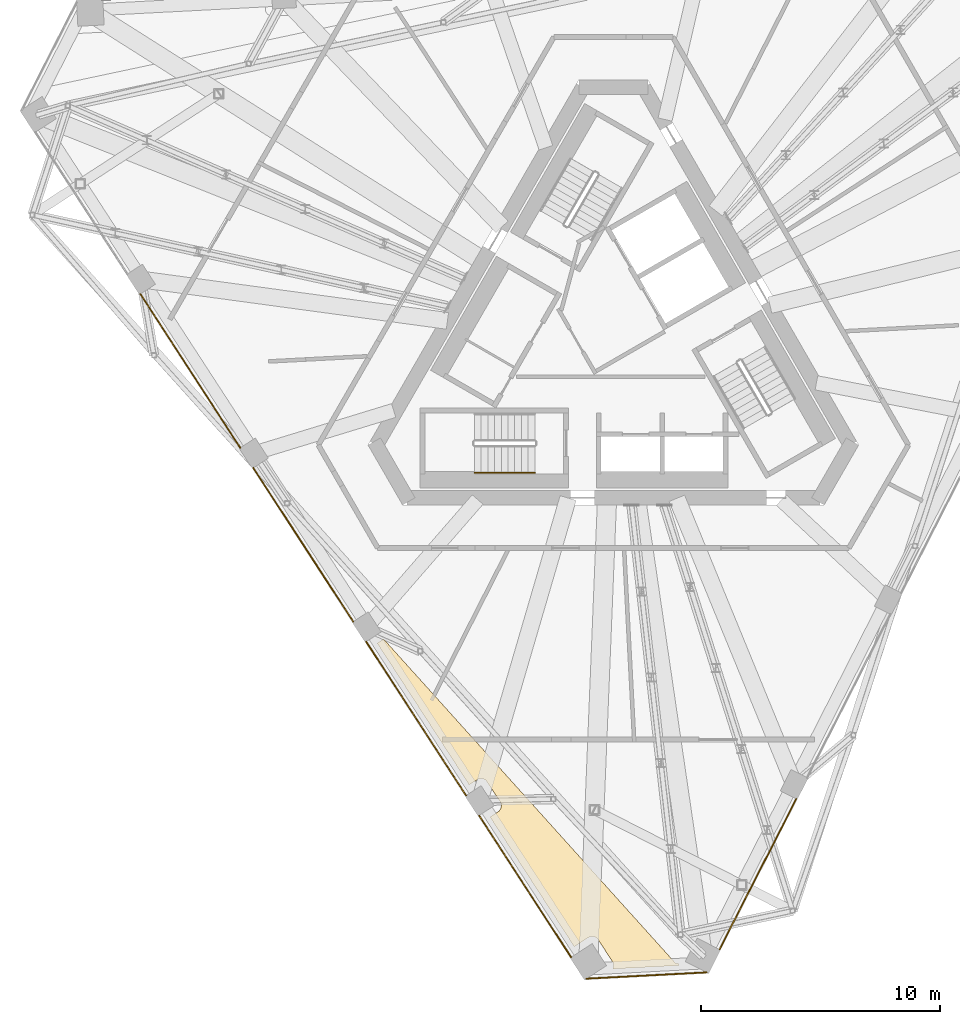
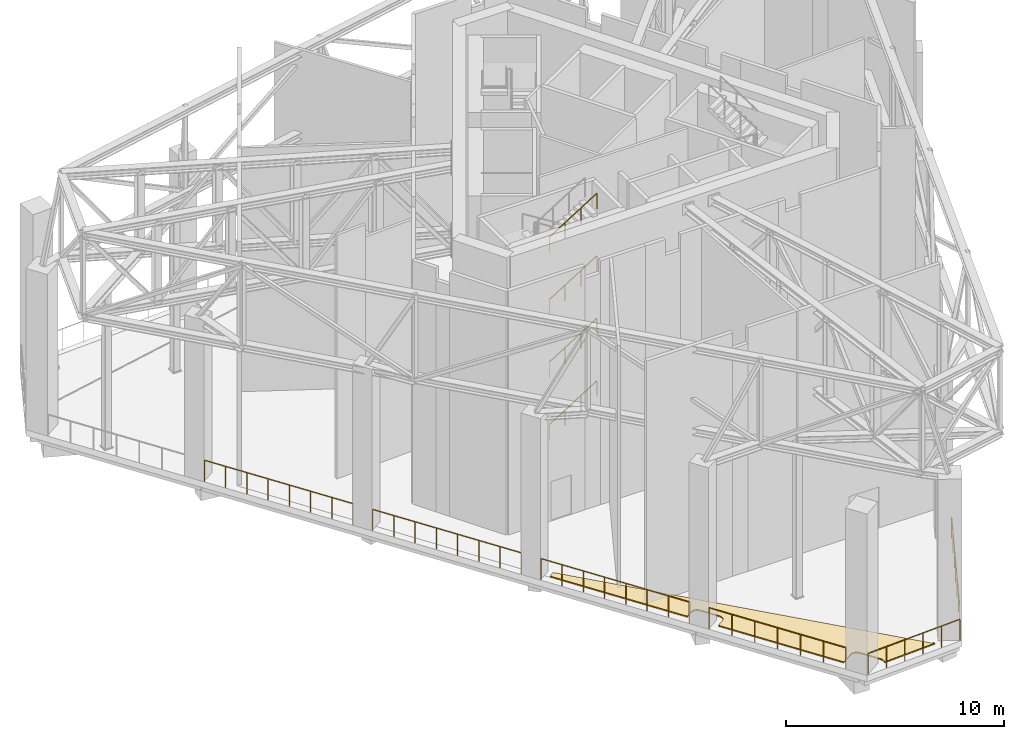
# One storey, part 20 of 23: 10 railings, 2 coverings.
"""IFC4 building model written with IfcOpenShell, lengths in metres."""

from ifc_helpers import new_model, si_unit, direction, frame, origin, origin_2d, place, context, subcontext, project, spatial, polyline, circle, outline, extrude, material, layer, layer_set, type_object, element, save


model = new_model("IFC4")

# Units and contexts
model_context = context("Model", 3, precision=1e-05, world=origin(), true_north=direction((0.0, 1.0)))
body_context = subcontext(model_context, "Body", "Model", "MODEL_VIEW")
ifc_project = project(units=[si_unit("LENGTHUNIT", "METRE"), si_unit("AREAUNIT", "SQUARE_METRE"), si_unit("VOLUMEUNIT", "CUBIC_METRE"), si_unit("PLANEANGLEUNIT", "RADIAN"), si_unit("MASSUNIT", "GRAM", prefix="KILO")], contexts=[model_context])

# Site, building, storey
site_placement = place(None, origin())
site = spatial("IfcSite", under=ifc_project, at=site_placement, CompositionType="ELEMENT")
building_placement = place(site_placement, origin())
building = spatial("IfcBuilding", under=site, at=building_placement, Name="Tramontana Tower", CompositionType="ELEMENT")
storey_placement = place(building_placement, frame((0.0, 0.0, 306.39990234375)))
storey = spatial("IfcBuildingStorey", under=building, at=storey_placement, Name="L72", CompositionType="ELEMENT", Elevation=306.39990234375)

# Railings
ifc_material_1 = material(Name="Stainless steel rail and posts", Category="steel")
railing_type_1 = type_object("IfcRailingType", Name="GD4 Portal band guard 1200", PredefinedType="GUARDRAIL", material=ifc_material_1)
railing_1_placement = place(storey_placement, frame((-19.76025390625, 2.060546875, 0.0)))
element("IfcRailing", 1, at=railing_1_placement, inside=storey, type_object=railing_type_1, Name="Edge guard L72 4", PredefinedType="GUARDRAIL", context=body_context, shape_type="SweptSolid", body=[
    extrude(circle(Radius=0.02392578125, at=origin_2d()), frame((0.0, 0.0, 1.17578125), z_axis=(0.544649987904, -0.838663454954, 0.0), x_axis=(0.838663454954, 0.544649987904, 0.0)), (0.0, 0.0, 1.0), 7.66015625),
    extrude(circle(Radius=0.02099609375, at=origin_2d()), origin(), (0.0, 0.0, 1.0), 1.15185546875),
    extrude(circle(Radius=0.02099609375, at=origin_2d()), frame((0.595947265625, -0.917724609375, 0.0)), (0.0, 0.0, 1.0), 1.15185546875),
    extrude(circle(Radius=0.02099609375, at=origin_2d()), frame((1.192138671875, -1.83544921875, 0.0)), (0.0, 0.0, 1.0), 1.15185546875),
    extrude(circle(Radius=0.02099609375, at=origin_2d()), frame((1.7880859375, -2.753173828125, 0.0)), (0.0, 0.0, 1.0), 1.15185546875),
    extrude(circle(Radius=0.02099609375, at=origin_2d()), frame((2.384033203125, -3.671142578125, 0.0)), (0.0, 0.0, 1.0), 1.15185546875),
    extrude(circle(Radius=0.02099609375, at=origin_2d()), frame((2.97998046875, -4.5888671875, 0.0)), (0.0, 0.0, 1.0), 1.15185546875),
    extrude(circle(Radius=0.02099609375, at=origin_2d()), frame((3.576171875, -5.506591796875, 0.0)), (0.0, 0.0, 1.0), 1.15185546875),
    extrude(circle(Radius=0.02099609375, at=origin_2d()), frame((4.172119140625, -6.42431640625, 0.0)), (0.0, 0.0, 1.0), 1.15185546875),
])
railing_2_placement = place(storey_placement, frame((-15.04345703125, -5.202392578125, 0.0)))
element("IfcRailing", 2, at=railing_2_placement, inside=storey, type_object=railing_type_1, Name="Edge guard L72 5", PredefinedType="GUARDRAIL", context=body_context, shape_type="SweptSolid", body=[
    extrude(circle(Radius=0.02392578125, at=origin_2d()), frame((0.0, 0.0, 1.17578125), z_axis=(0.544635430066, -0.838672909016, 0.0), x_axis=(0.838672909016, 0.544635430066, 0.0)), (0.0, 0.0, 1.0), 7.660400390625),
    extrude(circle(Radius=0.02099609375, at=origin_2d()), origin(), (0.0, 0.0, 1.0), 1.15185546875),
    extrude(circle(Radius=0.02099609375, at=origin_2d()), frame((0.595947265625, -0.917724609375, 0.0)), (0.0, 0.0, 1.0), 1.15185546875),
    extrude(circle(Radius=0.02099609375, at=origin_2d()), frame((1.192138671875, -1.835693359375, 0.0)), (0.0, 0.0, 1.0), 1.15185546875),
    extrude(circle(Radius=0.02099609375, at=origin_2d()), frame((1.7880859375, -2.75341796875, 0.0)), (0.0, 0.0, 1.0), 1.15185546875),
    extrude(circle(Radius=0.02099609375, at=origin_2d()), frame((2.384033203125, -3.671142578125, 0.0)), (0.0, 0.0, 1.0), 1.15185546875),
    extrude(circle(Radius=0.02099609375, at=origin_2d()), frame((2.97998046875, -4.5888671875, 0.0)), (0.0, 0.0, 1.0), 1.15185546875),
    extrude(circle(Radius=0.02099609375, at=origin_2d()), frame((3.576171875, -5.5068359375, 0.0)), (0.0, 0.0, 1.0), 1.15185546875),
    extrude(circle(Radius=0.02099609375, at=origin_2d()), frame((4.172119140625, -6.424560546875, 0.0)), (0.0, 0.0, 1.0), 1.15185546875),
])
railing_3_placement = place(storey_placement, frame((-10.326904296875, -12.465576171875, 0.0)))
element("IfcRailing", 3, at=railing_3_placement, inside=storey, type_object=railing_type_1, Name="Edge guard L72 7", PredefinedType="GUARDRAIL", context=body_context, shape_type="SweptSolid", body=[
    extrude(circle(Radius=0.02392578125, at=origin_2d()), frame((0.0, 0.0, 1.17578125), z_axis=(0.544649987904, -0.838663454954, 0.0), x_axis=(0.838663454954, 0.544649987904, 0.0)), (0.0, 0.0, 1.0), 7.66015625),
    extrude(circle(Radius=0.02099609375, at=origin_2d()), origin(), (0.0, 0.0, 1.0), 1.15185546875),
    extrude(circle(Radius=0.02099609375, at=origin_2d()), frame((0.595947265625, -0.917724609375, 0.0)), (0.0, 0.0, 1.0), 1.15185546875),
    extrude(circle(Radius=0.02099609375, at=origin_2d()), frame((1.192138671875, -1.83544921875, 0.0)), (0.0, 0.0, 1.0), 1.15185546875),
    extrude(circle(Radius=0.02099609375, at=origin_2d()), frame((1.7880859375, -2.753173828125, 0.0)), (0.0, 0.0, 1.0), 1.15185546875),
    extrude(circle(Radius=0.02099609375, at=origin_2d()), frame((2.384033203125, -3.671142578125, 0.0)), (0.0, 0.0, 1.0), 1.15185546875),
    extrude(circle(Radius=0.02099609375, at=origin_2d()), frame((2.97998046875, -4.5888671875, 0.0)), (0.0, 0.0, 1.0), 1.15185546875),
    extrude(circle(Radius=0.02099609375, at=origin_2d()), frame((3.576171875, -5.506591796875, 0.0)), (0.0, 0.0, 1.0), 1.15185546875),
    extrude(circle(Radius=0.02099609375, at=origin_2d()), frame((4.172119140625, -6.42431640625, 0.0)), (0.0, 0.0, 1.0), 1.15185546875),
])
railing_4_placement = place(storey_placement, frame((-5.610107421875, -19.728759765625, 0.0)))
element("IfcRailing", 4, at=railing_4_placement, inside=storey, type_object=railing_type_1, Name="Edge guard L72 8", PredefinedType="GUARDRAIL", context=body_context, shape_type="SweptSolid", body=[
    extrude(circle(Radius=0.02392578125, at=origin_2d()), frame((0.0, 0.0, 1.17578125), z_axis=(0.54463703186, -0.838671868806, 0.0), x_axis=(0.838671868806, 0.54463703186, 0.0)), (0.0, 0.0, 1.0), 7.06005859375),
    extrude(circle(Radius=0.02099609375, at=origin_2d()), origin(), (0.0, 0.0, 1.0), 1.15185546875),
    extrude(circle(Radius=0.02099609375, at=origin_2d()), frame((0.640869140625, -0.98681640625, 0.0)), (0.0, 0.0, 1.0), 1.15185546875),
    extrude(circle(Radius=0.02099609375, at=origin_2d()), frame((1.28173828125, -1.9736328125, 0.0)), (0.0, 0.0, 1.0), 1.15185546875),
    extrude(circle(Radius=0.02099609375, at=origin_2d()), frame((1.922607421875, -2.96044921875, 0.0)), (0.0, 0.0, 1.0), 1.15185546875),
    extrude(circle(Radius=0.02099609375, at=origin_2d()), frame((2.5634765625, -3.947509765625, 0.0)), (0.0, 0.0, 1.0), 1.15185546875),
    extrude(circle(Radius=0.02099609375, at=origin_2d()), frame((3.204345703125, -4.934326171875, 0.0)), (0.0, 0.0, 1.0), 1.15185546875),
    extrude(circle(Radius=0.02099609375, at=origin_2d()), frame((3.84521484375, -5.921142578125, 0.0)), (0.0, 0.0, 1.0), 1.15185546875),
])
railing_5_placement = place(storey_placement, frame((-1.123779296875, -26.545166015625, 0.0)))
element("IfcRailing", 5, at=railing_5_placement, inside=storey, type_object=railing_type_1, Name="Edge guard L72 10", PredefinedType="GUARDRAIL", context=body_context, shape_type="SweptSolid", body=[
    extrude(circle(Radius=0.02392578125, at=origin_2d()), frame((0.0, 0.0, 1.17578125), z_axis=(0.998628951021, 0.052347093364, 0.0), x_axis=(-0.052347093364, 0.998628951021, 0.0)), (0.0, 0.0, 1.0), 5.02294921875),
    extrude(circle(Radius=0.02099609375, at=origin_2d()), origin(), (0.0, 0.0, 1.0), 1.15185546875),
    extrude(circle(Radius=0.02099609375, at=origin_2d()), frame((1.003173828125, 0.052490234375, 0.0)), (0.0, 0.0, 1.0), 1.15185546875),
    extrude(circle(Radius=0.02099609375, at=origin_2d()), frame((2.00634765625, 0.105224609375, 0.0)), (0.0, 0.0, 1.0), 1.15185546875),
    extrude(circle(Radius=0.02099609375, at=origin_2d()), frame((3.009765625, 0.15771484375, 0.0)), (0.0, 0.0, 1.0), 1.15185546875),
    extrude(circle(Radius=0.02099609375, at=origin_2d()), frame((4.012939453125, 0.21044921875, 0.0)), (0.0, 0.0, 1.0), 1.15185546875),
    extrude(circle(Radius=0.02099609375, at=origin_2d()), frame((5.01611328125, 0.262939453125, 0.0)), (0.0, 0.0, 1.0), 1.15185546875),
])
railing_6_placement = place(storey_placement, frame((4.436279296875, -25.324951171875, 0.0)))
element("IfcRailing", 6, at=railing_6_placement, inside=storey, type_object=railing_type_1, Name="Edge guard L72 12", PredefinedType="GUARDRAIL", context=body_context, shape_type="SweptSolid", body=[
    extrude(circle(Radius=0.02392578125, at=origin_2d()), frame((0.0, 0.0, 1.17578125), z_axis=(0.453992084912, 0.891005716501, 0.0), x_axis=(-0.891005716501, 0.453992084912, 0.0)), (0.0, 0.0, 1.0), 7.060302734375),
    extrude(circle(Radius=0.02099609375, at=origin_2d()), origin(), (0.0, 0.0, 1.0), 1.15185546875),
    extrude(circle(Radius=0.02099609375, at=origin_2d()), frame((0.5341796875, 1.04833984375, 0.0)), (0.0, 0.0, 1.0), 1.15185546875),
    extrude(circle(Radius=0.02099609375, at=origin_2d()), frame((1.068359375, 2.096923828125, 0.0)), (0.0, 0.0, 1.0), 1.15185546875),
    extrude(circle(Radius=0.02099609375, at=origin_2d()), frame((1.6025390625, 3.1455078125, 0.0)), (0.0, 0.0, 1.0), 1.15185546875),
    extrude(circle(Radius=0.02099609375, at=origin_2d()), frame((2.136962890625, 4.19384765625, 0.0)), (0.0, 0.0, 1.0), 1.15185546875),
    extrude(circle(Radius=0.02099609375, at=origin_2d()), frame((2.671142578125, 5.2421875, 0.0)), (0.0, 0.0, 1.0), 1.15185546875),
    extrude(circle(Radius=0.02099609375, at=origin_2d()), frame((3.205322265625, 6.290771484375, 0.0)), (0.0, 0.0, 1.0), 1.15185546875),
])

# Covering
ifc_material_2 = material(Name="Limestone paving 60", Category="masonry")
ifc_layer_1 = layer(ifc_material_2, 0.06005859375)
ifc_layer_set_1 = layer_set([ifc_layer_1], Name="PV1 Terrace paving 60")
covering_type_1 = type_object("IfcCoveringType", Name="PV1 Terrace paving 60", PredefinedType="FLOORING", material=ifc_layer_set_1)
covering_1_placement = place(storey_placement, frame((0.0, 0.0, 0.010009765625)))
element("IfcCovering", 7, at=covering_1_placement, inside=storey, type_object=covering_type_1, Name="Terrace paving L72 2", PredefinedType="FLOORING", context=body_context, shape_type="SweptSolid", body=[
    extrude(outline(polyline([(-0.01806640625, -26.13671875), (-0.009521484375, -26.118896484375), (0.000732421875, -26.09130859375), (0.00830078125, -26.06298828125), (0.01318359375, -26.033935546875), (0.014892578125, -26.00439453125), (0.013916015625, -25.97509765625), (0.010009765625, -25.94580078125), (0.003173828125, -25.917236328125), (-0.00634765625, -25.889404296875), (-0.0185546875, -25.862548828125), (-0.033447265625, -25.837158203125), (-0.632568359375, -24.91455078125), (-0.64990234375, -24.890869140625), (-0.669189453125, -24.86865234375), (-0.69091796875, -24.8486328125), (-0.71435546875, -24.830810546875), (-0.7392578125, -24.8154296875), (-0.765869140625, -24.802490234375), (-0.79345703125, -24.7919921875), (-0.82177734375, -24.78466796875), (-0.850830078125, -24.77978515625), (-0.88037109375, -24.778076171875), (-0.90966796875, -24.779052734375), (-0.93896484375, -24.782958984375), (-0.967529296875, -24.789794921875), (-0.995361328125, -24.79931640625), (-1.022216796875, -24.8115234375), (-1.047607421875, -24.826416015625), (-1.634521484375, -25.207763671875), (-5.153076171875, -19.78955078125), (-4.817626953125, -19.57177734375), (-4.793701171875, -19.554443359375), (-4.771728515625, -19.53515625), (-4.751708984375, -19.513427734375), (-4.73388671875, -19.489990234375), (-4.71826171875, -19.465087890625), (-4.705322265625, -19.438720703125), (-4.695068359375, -19.4111328125), (-4.687744140625, -19.382568359375), (-4.682861328125, -19.353515625), (-4.68115234375, -19.32421875), (-4.68212890625, -19.294677734375), (-4.68603515625, -19.265625), (-4.69287109375, -19.23681640625), (-4.702392578125, -19.208984375), (-4.714599609375, -19.18212890625), (-4.7294921875, -19.15673828125), (-5.274169921875, -18.318115234375), (-5.291259765625, -18.294189453125), (-5.310791015625, -18.272216796875), (-5.332275390625, -18.252197265625), (-5.355712890625, -18.234375), (-5.380859375, -18.21875), (-5.4072265625, -18.205810546875), (-5.434814453125, -18.195556640625), (-5.46337890625, -18.18798828125), (-5.492431640625, -18.183349609375), (-5.521728515625, -18.181640625), (-5.55126953125, -18.1826171875), (-5.580322265625, -18.1865234375), (-5.609130859375, -18.193359375), (-5.636962890625, -18.202880859375), (-5.66357421875, -18.215087890625), (-5.689208984375, -18.22998046875), (-6.024658203125, -18.44775390625), (-9.869873046875, -12.526611328125), (-9.60107421875, -12.35205078125), (2.61767578125, -25.922119140625), (2.7109375, -25.90234375), (2.716064453125, -25.921142578125), (2.7265625, -25.948486328125), (2.739501953125, -25.974853515625), (2.75, -25.99169921875), (-0.01806640625, -26.13671875)])), origin(), (0.0, 0.0, 1.0), 0.06005859375),
])

# Railings
ifc_material_3 = material(Name="Painted steel", Category="steel")
railing_type_2 = type_object("IfcRailingType", Name="STAIR HANDRAIL 900", PredefinedType="HANDRAIL", material=ifc_material_3)
for number, where, name in (
    (8, (-5.800048828125, -5.39990234375, 1.925048828125), "L72 ST2 stair handrail 2"),
    (9, (-5.800048828125, -5.39990234375, 5.425048828125), "L72 ST2 stair handrail 4"),
    (10, (-5.800048828125, -5.39990234375, 8.925048828125), "L72 ST2 stair handrail 6"),
    (11, (-5.800048828125, -5.39990234375, 12.425048828125), "L72 ST2 stair handrail 8"),
):
    element("IfcRailing", number, at=place(storey_placement, frame(where)), inside=storey, type_object=railing_type_2, Name=name, PredefinedType="HANDRAIL", context=body_context, shape_type="SweptSolid", body=[
        extrude(circle(Radius=0.02392578125, at=origin_2d()), frame((0.0, 0.0, 0.8759765625), z_axis=(0.848007534815, 0.0, 0.529984170421), x_axis=(0.0, 1.0, 0.0)), (0.0, 0.0, 1.0), 2.9716796875),
        extrude(circle(Radius=0.02099609375, at=origin_2d()), origin(), (0.0, 0.0, 1.0), 0.851806640625),
        extrude(circle(Radius=0.02099609375, at=origin_2d()), frame((0.840087890625, 0.0, 0.52490234375)), (0.0, 0.0, 1.0), 0.851806640625),
        extrude(circle(Radius=0.02099609375, at=origin_2d()), frame((1.679931640625, 0.0, 1.050048828125)), (0.0, 0.0, 1.0), 0.851806640625),
        extrude(circle(Radius=0.02099609375, at=origin_2d()), frame((2.52001953125, 0.0, 1.574951171875)), (0.0, 0.0, 1.0), 0.851806640625),
    ])

# Covering
ifc_material_4 = material(Name="Bituminous waterproofing membrane")
ifc_layer_2 = layer(ifc_material_4, 0.010009765625)
ifc_layer_set_2 = layer_set([ifc_layer_2], Name="WP1 Terrace waterproofing membrane 10")
covering_type_2 = type_object("IfcCoveringType", Name="WP1 Terrace waterproofing membrane 10", PredefinedType="MEMBRANE", material=ifc_layer_set_2)
covering_2_placement = place(storey_placement, origin())
element("IfcCovering", 12, at=covering_2_placement, inside=storey, type_object=covering_type_2, Name="Terrace membrane L72 2", PredefinedType="MEMBRANE", context=body_context, shape_type="SweptSolid", body=[
    extrude(outline(polyline([(-0.01806640625, -26.13671875), (-0.009521484375, -26.118896484375), (0.000732421875, -26.09130859375), (0.00830078125, -26.06298828125), (0.01318359375, -26.033935546875), (0.014892578125, -26.00439453125), (0.013916015625, -25.97509765625), (0.010009765625, -25.94580078125), (0.003173828125, -25.917236328125), (-0.00634765625, -25.889404296875), (-0.0185546875, -25.862548828125), (-0.033447265625, -25.837158203125), (-0.632568359375, -24.91455078125), (-0.64990234375, -24.890869140625), (-0.669189453125, -24.86865234375), (-0.69091796875, -24.8486328125), (-0.71435546875, -24.830810546875), (-0.7392578125, -24.8154296875), (-0.765869140625, -24.802490234375), (-0.79345703125, -24.7919921875), (-0.82177734375, -24.78466796875), (-0.850830078125, -24.77978515625), (-0.88037109375, -24.778076171875), (-0.90966796875, -24.779052734375), (-0.93896484375, -24.782958984375), (-0.967529296875, -24.789794921875), (-0.995361328125, -24.79931640625), (-1.022216796875, -24.8115234375), (-1.047607421875, -24.826416015625), (-1.634521484375, -25.207763671875), (-5.153076171875, -19.78955078125), (-4.817626953125, -19.57177734375), (-4.793701171875, -19.554443359375), (-4.771728515625, -19.53515625), (-4.751708984375, -19.513427734375), (-4.73388671875, -19.489990234375), (-4.71826171875, -19.465087890625), (-4.705322265625, -19.438720703125), (-4.695068359375, -19.4111328125), (-4.687744140625, -19.382568359375), (-4.682861328125, -19.353515625), (-4.68115234375, -19.32421875), (-4.68212890625, -19.294677734375), (-4.68603515625, -19.265625), (-4.69287109375, -19.23681640625), (-4.702392578125, -19.208984375), (-4.714599609375, -19.18212890625), (-4.7294921875, -19.15673828125), (-5.274169921875, -18.318115234375), (-5.291259765625, -18.294189453125), (-5.310791015625, -18.272216796875), (-5.332275390625, -18.252197265625), (-5.355712890625, -18.234375), (-5.380859375, -18.21875), (-5.4072265625, -18.205810546875), (-5.434814453125, -18.195556640625), (-5.46337890625, -18.18798828125), (-5.492431640625, -18.183349609375), (-5.521728515625, -18.181640625), (-5.55126953125, -18.1826171875), (-5.580322265625, -18.1865234375), (-5.609130859375, -18.193359375), (-5.636962890625, -18.202880859375), (-5.66357421875, -18.215087890625), (-5.689208984375, -18.22998046875), (-6.024658203125, -18.44775390625), (-9.869873046875, -12.526611328125), (-9.60107421875, -12.35205078125), (2.61767578125, -25.922119140625), (2.7109375, -25.90234375), (2.716064453125, -25.921142578125), (2.7265625, -25.948486328125), (2.739501953125, -25.974853515625), (2.75, -25.99169921875), (-0.01806640625, -26.13671875)])), origin(), (0.0, 0.0, 1.0), 0.010009765625),
])

save(model, "model.ifc")
